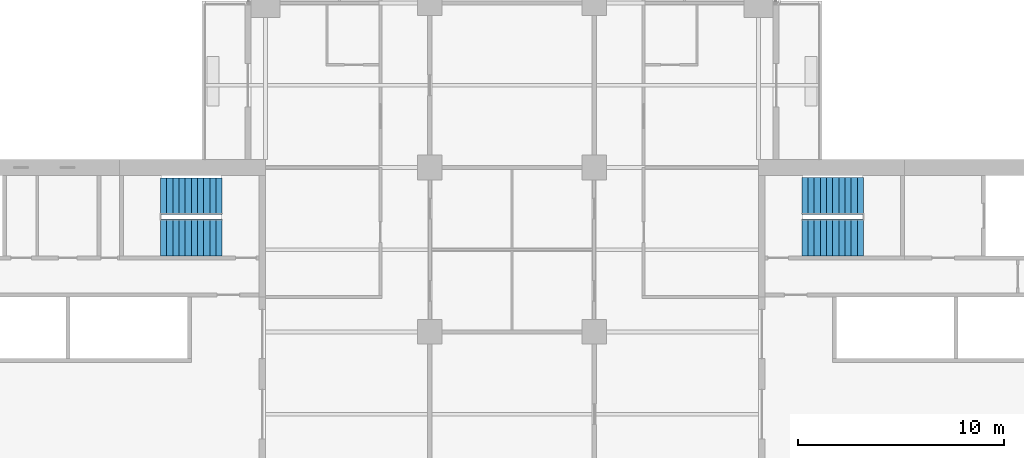
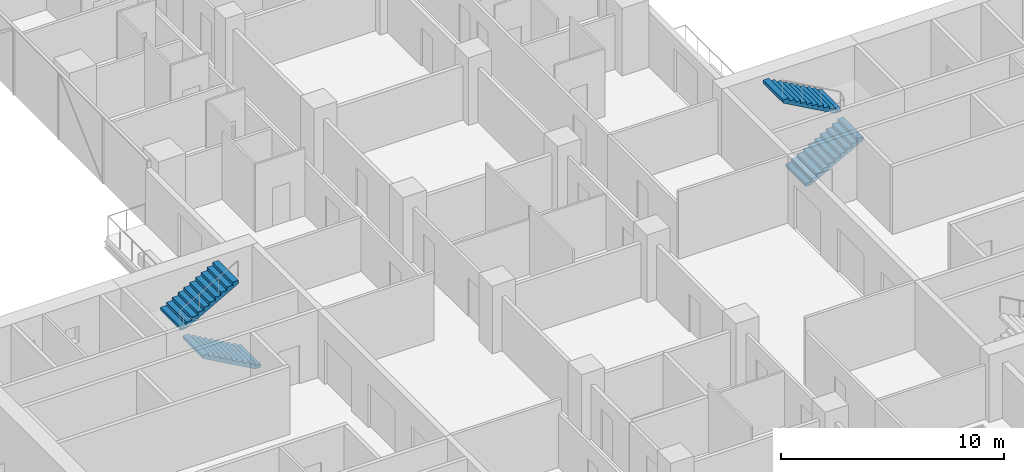
# One storey, part 24 of 29: 4 stair flights, 2 elements without a shape of their own.
"""IFC4 building model written with IfcOpenShell, lengths in metres."""

import ifcopenshell
import ifcopenshell.guid

model = None  # the IFC model being written
_history = None  # IfcOwnerHistory: only IFC2X3 demands one
_inside = {}  # id of a spatial element -> (the spatial element, [elements in it])
_under = {}  # id of a project, library or spatial element -> (it, [spatial elements below it])
_declared = {}  # id of a project -> (the project, [libraries it declares])
_typed = {}  # id of a type object -> (the type object, [elements of that type])
_made_of = {}  # id of a material, layer set ... -> (it, [elements and type objects made of it])


def new_model(schema):
    """Start an empty IFC model of exactly this schema.

    Asked for "IFC4X3", IfcOpenShell would pick the latest addendum, in which some entities
    have other attributes; the version numbers below select the first issue.
    IFC2X3 requires an IfcOwnerHistory on every rooted entity: one is made here for all.
    """
    global model, _history
    if schema == "IFC4X3":
        model = ifcopenshell.file(schema_version=(4, 3, 0, 0))
    else:
        model = ifcopenshell.file(schema=schema)
    _inside.clear()
    _under.clear()
    _declared.clear()
    _typed.clear()
    _made_of.clear()
    _history = None
    if model.schema == "IFC2X3":
        org = make("IfcOrganization", Name="unknown")
        user = make(
            "IfcPersonAndOrganization",
            ThePerson=make("IfcPerson", FamilyName="unknown"),
            TheOrganization=org,
        )
        app = make(
            "IfcApplication",
            ApplicationDeveloper=org,
            Version="unknown",
            ApplicationFullName="unknown",
            ApplicationIdentifier="unknown",
        )
        _history = make(
            "IfcOwnerHistory",
            OwningUser=user,
            OwningApplication=app,
            ChangeAction="ADDED",
            CreationDate=0,
        )
    return model


def make(cls, **values):
    """One entity of the class cls with the attributes given. An attribute that is None is left unset."""
    return model.create_entity(
        cls, **{name: value for name, value in values.items() if value is not None}
    )


def rooted(cls, **values):
    """An entity with a GlobalId (a new one), such as an element, a storey or a relation."""
    return make(cls, GlobalId=ifcopenshell.guid.new(), OwnerHistory=_history, **values)


def si_unit(unit_type, name, prefix=None):
    """IfcSIUnit, for example si_unit("LENGTHUNIT", "METRE", prefix="MILLI")."""
    return make("IfcSIUnit", UnitType=unit_type, Prefix=prefix, Name=name)


def assignment(units):
    """IfcUnitAssignment: the units of a project."""
    return None if units is None else make("IfcUnitAssignment", Units=units)


def point(xyz):
    """IfcCartesianPoint."""
    return None if xyz is None else make("IfcCartesianPoint", Coordinates=xyz)


def direction(xyz):
    """IfcDirection."""
    return None if xyz is None else make("IfcDirection", DirectionRatios=xyz)


def frame(location, z_axis=None, x_axis=None):
    """IfcAxis2Placement3D, a coordinate frame: its origin and axes. An axis left out is left unset."""
    return make(
        "IfcAxis2Placement3D",
        Location=point(location),
        Axis=direction(z_axis),
        RefDirection=direction(x_axis),
    )


def origin():
    """The frame at (0, 0, 0) with its axes left unset."""
    return frame((0.0, 0.0, 0.0))


def place(relative_to, where):
    """IfcLocalPlacement: puts the frame where relative to a parent placement (None: the world)."""
    return make(
        "IfcLocalPlacement", PlacementRelTo=relative_to, RelativePlacement=where
    )


def context(
    kind, dimensions, precision=None, world=None, true_north=None, identifier=None
):
    """IfcGeometricRepresentationContext, for example the 3D "Model" context."""
    return make(
        "IfcGeometricRepresentationContext",
        ContextIdentifier=identifier,
        ContextType=kind,
        CoordinateSpaceDimension=dimensions,
        Precision=precision,
        WorldCoordinateSystem=world,
        TrueNorth=true_north,
    )


def subcontext(parent, identifier, kind, view, scale=None):
    """IfcGeometricRepresentationSubContext, for example "Body" below "Model"."""
    return make(
        "IfcGeometricRepresentationSubContext",
        ContextIdentifier=identifier,
        ContextType=kind,
        ParentContext=parent,
        TargetScale=scale,
        TargetView=view,
    )


def project(units=None, contexts=None):
    """IfcProject with its units and contexts."""
    return rooted(
        "IfcProject",
        Name="project",
        RepresentationContexts=contexts,
        UnitsInContext=assignment(units),
    )


def spatial(cls, under=None, at=None, **own):
    """A site, building, storey or space (cls), placed at a placement, below another one or the project."""
    s = rooted(cls, ObjectPlacement=at, **own)
    if under is not None:
        _under.setdefault(under.id(), (under, []))[1].append(s)
    return s


def polyline(points):
    """IfcPolyline through the points."""
    return make("IfcPolyline", Points=[point(p) for p in points])


def outline(outer, holes=None, kind="AREA"):
    """IfcArbitraryClosedProfileDef: a profile drawn as a closed curve; with holes, ...WithVoids."""
    if holes is None:
        return make("IfcArbitraryClosedProfileDef", ProfileType=kind, OuterCurve=outer)
    return make(
        "IfcArbitraryProfileDefWithVoids",
        ProfileType=kind,
        OuterCurve=outer,
        InnerCurves=holes,
    )


def extrude(swept, where, along, depth):
    """IfcExtrudedAreaSolid: the profile swept, set in the frame where, extruded along a direction by depth."""
    return make(
        "IfcExtrudedAreaSolid",
        SweptArea=swept,
        Position=where,
        ExtrudedDirection=direction(along),
        Depth=depth,
    )


def shape(context_of_items, identifier, shape_type, items):
    """IfcShapeRepresentation: the items that make up one representation, for example the "Body"."""
    return make(
        "IfcShapeRepresentation",
        ContextOfItems=context_of_items,
        RepresentationIdentifier=identifier,
        RepresentationType=shape_type,
        Items=items,
    )


def material(Name=None, Category=None):
    """IfcMaterial."""
    return make("IfcMaterial", Name=Name, Category=Category)


def made_of(thing, what):
    """Note that an element or type object is made of a material, layer set ...; save() writes the relation."""
    if what is not None:
        _made_of.setdefault(what.id(), (what, []))[1].append(thing)
    return thing


def type_object(cls, material=None, **own):
    """A type object (cls), such as IfcWallType, which elements share."""
    return made_of(rooted(cls, **own), material)


def element(
    cls,
    number,
    at=None,
    inside=None,
    cuts=None,
    type_object=None,
    material=None,
    context=None,
    identifier="Body",
    shape_type=None,
    held_by="IfcProductDefinitionShape",
    body=None,
    shapes=None,
    **own,
):
    """One element of the class cls, such as IfcWall. Its Tag is "e" and its number.

    at: its placement. inside: the storey or other place that contains it. cuts: it is an
    opening in that element (IfcRelVoidsElement). A single representation is given by context,
    identifier, shape_type and body (its items); several are given by shapes. held_by: the class
    of the entity that holds the representations. save() writes the other relations.
    """
    e = rooted(cls, Tag="e%d" % number, ObjectPlacement=at, **own)
    if body is not None:
        shapes = [shape(context, identifier, shape_type, body)]
    if shapes is not None:
        e.Representation = make(held_by, Representations=shapes)
    if inside is not None:
        _inside.setdefault(inside.id(), (inside, []))[1].append(e)
    if cuts is not None:
        rooted(
            "IfcRelVoidsElement", RelatingBuildingElement=cuts, RelatedOpeningElement=e
        )
    if type_object is not None:
        _typed.setdefault(type_object.id(), (type_object, []))[1].append(e)
    return made_of(e, material)


def aggregate(whole, parts):
    """IfcRelAggregates: a whole, such as a stair, and the parts it consists of."""
    return rooted("IfcRelAggregates", RelatingObject=whole, RelatedObjects=parts)


def save(model, path):
    """Write the relations noted so far, then the file.

    IfcRelAggregates (storeys below a building ...), IfcRelContainedInSpatialStructure (elements
    in a storey), IfcRelDefinesByType, IfcRelAssociatesMaterial and IfcRelDeclares: one each for
    every whole, place, type object, material and project.
    """
    for whole, parts in _under.values():
        aggregate(whole, parts)
    for where, things in _inside.values():
        rooted(
            "IfcRelContainedInSpatialStructure",
            RelatedElements=things,
            RelatingStructure=where,
        )
    for kind, things in _typed.values():
        rooted("IfcRelDefinesByType", RelatedObjects=things, RelatingType=kind)
    for what, things in _made_of.values():
        rooted("IfcRelAssociatesMaterial", RelatedObjects=things, RelatingMaterial=what)
    for by, libraries in _declared.values():
        rooted("IfcRelDeclares", RelatingContext=by, RelatedDefinitions=libraries)
    model.write(path)


model = new_model("IFC4")

# Units and contexts
model_context = context("Model", 3, precision=1e-05, world=origin(), true_north=direction((0.0, 1.0)))
body_context = subcontext(model_context, "Body", "Model", "MODEL_VIEW")
ifc_project = project(units=[si_unit("LENGTHUNIT", "METRE"), si_unit("AREAUNIT", "SQUARE_METRE"), si_unit("VOLUMEUNIT", "CUBIC_METRE"), si_unit("PLANEANGLEUNIT", "RADIAN"), si_unit("MASSUNIT", "GRAM", prefix="KILO")], contexts=[model_context])

# Site, building, storey
site_placement = place(None, origin())
site = spatial("IfcSite", under=ifc_project, at=site_placement, CompositionType="ELEMENT")
building_placement = place(site_placement, origin())
building = spatial("IfcBuilding", under=site, at=building_placement, Name="Crosswind Convention Tower", CompositionType="ELEMENT")
storey_placement = place(building_placement, frame((0.0, 0.0, 57.199951171875)))
storey = spatial("IfcBuildingStorey", under=building, at=storey_placement, Name="L08", CompositionType="ELEMENT", Elevation=57.199951171875)

# Stair, stair flights
ifc_material = material(Name="Concrete C40/50", Category="concrete")
stair_type = type_object("IfcStairType", Name="Exit stair 1800 wide, 2 flights of 11 risers", PredefinedType="HALF_TURN_STAIR", material=ifc_material)
stair_1_placement = place(storey_placement, origin())
stair_1 = element("IfcStair", 1, at=stair_1_placement, inside=storey, type_object=stair_type, Name="Exit stair ST1 L08", ObjectType="ST5", PredefinedType="HALF_TURN_STAIR")
stair_flight_type = type_object("IfcStairFlightType", Name="Stair flight 1800 wide, 11 risers (SF3)", PredefinedType="STRAIGHT", material=ifc_material)
stair_flight_1_placement = place(storey_placement, frame((139.10009765625, 108.60009765625, 0.0), z_axis=(0.0, 0.0, 1.0), x_axis=(1.0, 0.0, 0.0)))
stair_flight_1 = element("IfcStairFlight", 2, at=stair_flight_1_placement, type_object=stair_flight_type, Name="ST1 flight 1", NumberOfRisers=11, NumberOfTreads=10, PredefinedType="STRAIGHT", RiserHeight=0.168181818, TreadLength=0.3, context=body_context, shape_type="SweptSolid", body=[
    extrude(outline(polyline([(0.0, 0.0), (0.0, 0.168212890625), (0.300048828125, 0.168212890625), (0.300048828125, 0.33642578125), (0.60009765625, 0.33642578125), (0.60009765625, 0.504638671875), (0.89990234375, 0.504638671875), (0.89990234375, 0.672607421875), (1.199951171875, 0.672607421875), (1.199951171875, 0.8408203125), (1.5, 0.8408203125), (1.5, 1.009033203125), (1.800048828125, 1.009033203125), (1.800048828125, 1.17724609375), (2.10009765625, 1.17724609375), (2.10009765625, 1.345458984375), (2.39990234375, 1.345458984375), (2.39990234375, 1.513671875), (2.699951171875, 1.513671875), (2.699951171875, 1.681884765625), (3.0, 1.681884765625), (3.0, 1.85009765625), (3.0, 1.510009765625), (0.306640625, 0.0), (0.0, 0.0)])), frame((0.0, 0.89990234375, 0.0), z_axis=(0.0, -1.0, 0.0), x_axis=(1.0, 0.0, 0.0)), (0.0, 0.0, 1.0), 1.800048828125),
])
stair_flight_2_placement = place(storey_placement, frame((142.10009765625, 110.60009765625, 1.85009765625), z_axis=(0.0, 0.0, 1.0), x_axis=(-1.0, 0.0, 0.0)))
stair_flight_2 = element("IfcStairFlight", 3, at=stair_flight_2_placement, type_object=stair_flight_type, Name="ST1 flight 2", NumberOfRisers=11, NumberOfTreads=10, PredefinedType="STRAIGHT", RiserHeight=0.168181818, TreadLength=0.3, context=body_context, shape_type="SweptSolid", body=[
    extrude(outline(polyline([(0.0, 0.0), (0.0, 0.168212890625), (0.300048828125, 0.168212890625), (0.300048828125, 0.33642578125), (0.60009765625, 0.33642578125), (0.60009765625, 0.504638671875), (0.89990234375, 0.504638671875), (0.89990234375, 0.672607421875), (1.199951171875, 0.672607421875), (1.199951171875, 0.8408203125), (1.5, 0.8408203125), (1.5, 1.009033203125), (1.800048828125, 1.009033203125), (1.800048828125, 1.17724609375), (2.10009765625, 1.17724609375), (2.10009765625, 1.345458984375), (2.39990234375, 1.345458984375), (2.39990234375, 1.513671875), (2.699951171875, 1.513671875), (2.699951171875, 1.681884765625), (3.0, 1.681884765625), (3.0, 1.85009765625), (3.0, 1.510009765625), (0.306640625, 0.0), (0.0, 0.0)])), frame((0.0, 0.89990234375, 0.0), z_axis=(0.0, -1.0, 0.0), x_axis=(1.0, 0.0, 0.0)), (0.0, 0.0, 1.0), 1.800048828125),
])
aggregate(stair_1, [stair_flight_1, stair_flight_2])

stair_2_placement = place(storey_placement, origin())
stair_2 = element("IfcStair", 4, at=stair_2_placement, inside=storey, type_object=stair_type, Name="Exit stair ST4 L08", ObjectType="ST5", PredefinedType="HALF_TURN_STAIR")
stair_flight_3_placement = place(storey_placement, frame((110.89990234375, 108.60009765625, 0.0), z_axis=(0.0, 0.0, 1.0), x_axis=(-1.0, 0.0, 0.0)))
stair_flight_3 = element("IfcStairFlight", 5, at=stair_flight_3_placement, type_object=stair_flight_type, Name="ST4 flight 1", NumberOfRisers=11, NumberOfTreads=10, PredefinedType="STRAIGHT", RiserHeight=0.168181818, TreadLength=0.3, context=body_context, shape_type="SweptSolid", body=[
    extrude(outline(polyline([(0.0, 0.0), (0.0, 0.168212890625), (0.300048828125, 0.168212890625), (0.300048828125, 0.33642578125), (0.60009765625, 0.33642578125), (0.60009765625, 0.504638671875), (0.89990234375, 0.504638671875), (0.89990234375, 0.672607421875), (1.199951171875, 0.672607421875), (1.199951171875, 0.8408203125), (1.5, 0.8408203125), (1.5, 1.009033203125), (1.800048828125, 1.009033203125), (1.800048828125, 1.17724609375), (2.10009765625, 1.17724609375), (2.10009765625, 1.345458984375), (2.39990234375, 1.345458984375), (2.39990234375, 1.513671875), (2.699951171875, 1.513671875), (2.699951171875, 1.681884765625), (3.0, 1.681884765625), (3.0, 1.85009765625), (3.0, 1.510009765625), (0.306640625, 0.0), (0.0, 0.0)])), frame((0.0, 0.89990234375, 0.0), z_axis=(0.0, -1.0, 0.0), x_axis=(1.0, 0.0, 0.0)), (0.0, 0.0, 1.0), 1.800048828125),
])
stair_flight_4_placement = place(storey_placement, frame((107.89990234375, 110.60009765625, 1.85009765625), z_axis=(0.0, 0.0, 1.0), x_axis=(1.0, 0.0, 0.0)))
stair_flight_4 = element("IfcStairFlight", 6, at=stair_flight_4_placement, type_object=stair_flight_type, Name="ST4 flight 2", NumberOfRisers=11, NumberOfTreads=10, PredefinedType="STRAIGHT", RiserHeight=0.168181818, TreadLength=0.3, context=body_context, shape_type="SweptSolid", body=[
    extrude(outline(polyline([(0.0, 0.0), (0.0, 0.168212890625), (0.300048828125, 0.168212890625), (0.300048828125, 0.33642578125), (0.60009765625, 0.33642578125), (0.60009765625, 0.504638671875), (0.89990234375, 0.504638671875), (0.89990234375, 0.672607421875), (1.199951171875, 0.672607421875), (1.199951171875, 0.8408203125), (1.5, 0.8408203125), (1.5, 1.009033203125), (1.800048828125, 1.009033203125), (1.800048828125, 1.17724609375), (2.10009765625, 1.17724609375), (2.10009765625, 1.345458984375), (2.39990234375, 1.345458984375), (2.39990234375, 1.513671875), (2.699951171875, 1.513671875), (2.699951171875, 1.681884765625), (3.0, 1.681884765625), (3.0, 1.85009765625), (3.0, 1.510009765625), (0.306640625, 0.0), (0.0, 0.0)])), frame((0.0, 0.89990234375, 0.0), z_axis=(0.0, -1.0, 0.0), x_axis=(1.0, 0.0, 0.0)), (0.0, 0.0, 1.0), 1.800048828125),
])
aggregate(stair_2, [stair_flight_3, stair_flight_4])

save(model, "model.ifc")
